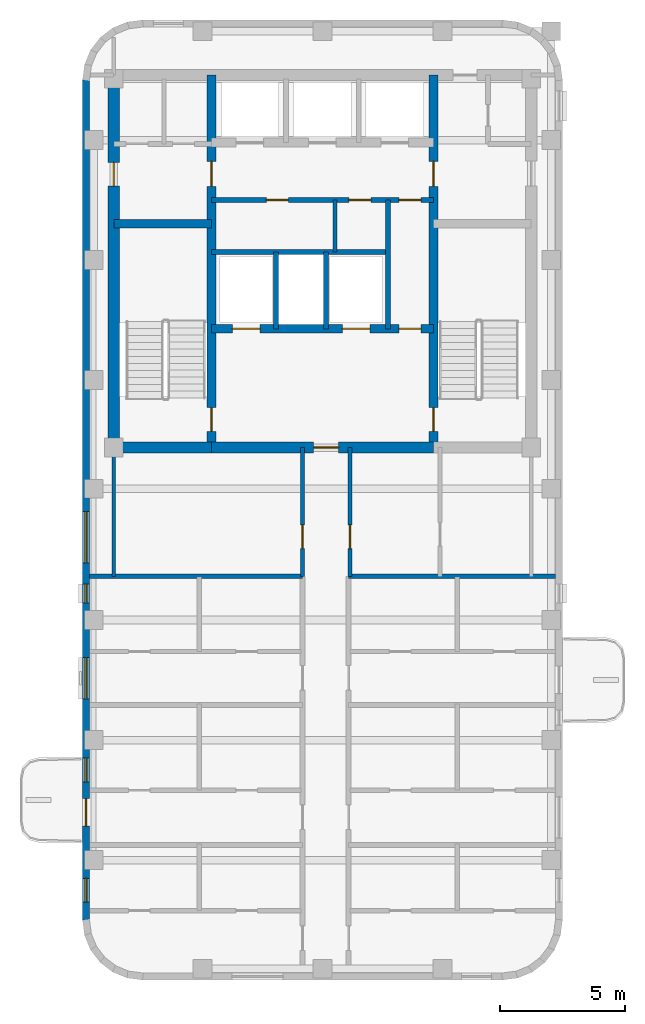
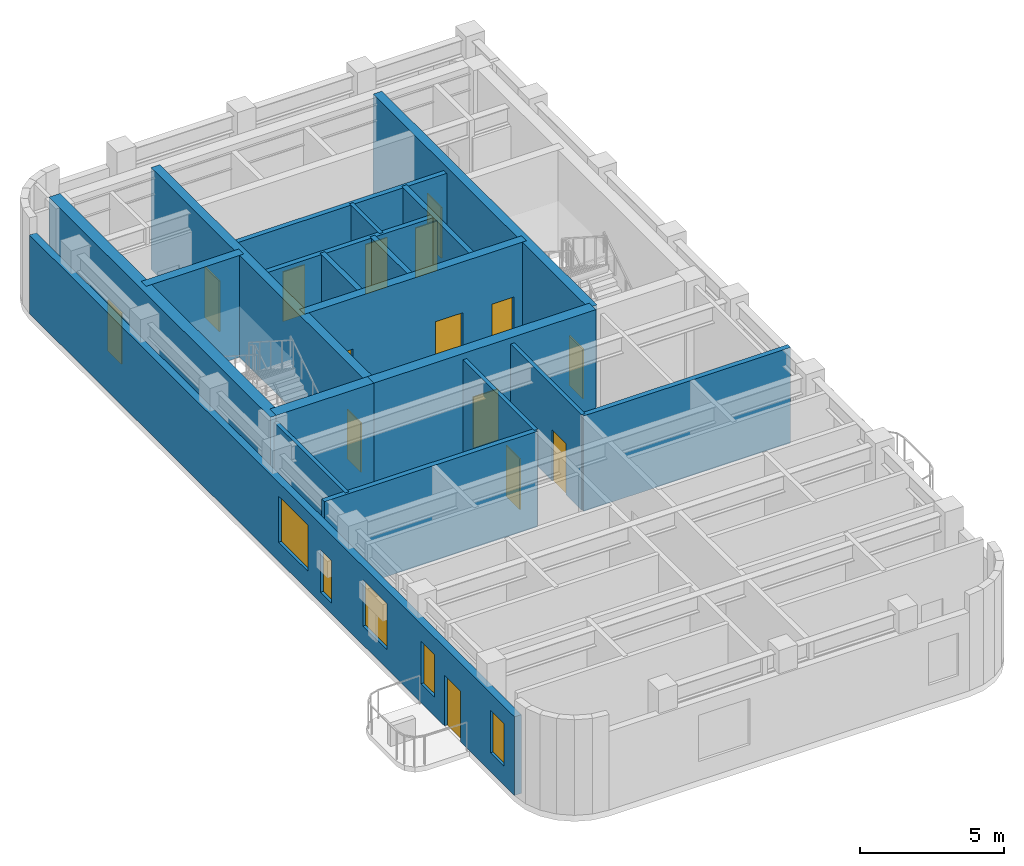
# One storey, part 3 of 6: 19 walls, 15 doors, 5 windows, 20 openings.
"""IFC4 building model written with IfcOpenShell, lengths in metres."""

from ifc_helpers import new_model, si_unit, direction, frame, frame_2d, origin, place, context, subcontext, project, spatial, rectangle, extrude, material, layer, layer_set, type_object, element, fill, save


model = new_model("IFC4")

# Units and contexts
model_context = context("Model", 3, precision=1e-05, world=origin(), true_north=direction((0.0, 1.0)))
body_context = subcontext(model_context, "Body", "Model", "MODEL_VIEW")
ifc_project = project(units=[si_unit("LENGTHUNIT", "METRE"), si_unit("AREAUNIT", "SQUARE_METRE"), si_unit("VOLUMEUNIT", "CUBIC_METRE"), si_unit("PLANEANGLEUNIT", "RADIAN"), si_unit("MASSUNIT", "GRAM", prefix="KILO")], contexts=[model_context])

# Site, building, storey
site_placement = place(None, origin())
site = spatial("IfcSite", under=ifc_project, at=site_placement, CompositionType="ELEMENT")
building_placement = place(site_placement, origin())
building = spatial("IfcBuilding", under=site, at=building_placement, Name="Orvandelia Arch Residences", CompositionType="ELEMENT")
storey_placement = place(building_placement, frame((0.0, 0.0, 248.39990234375)))
storey = spatial("IfcBuildingStorey", under=building, at=storey_placement, Name="L65", CompositionType="ELEMENT", Elevation=248.39990234375)

# Wall, openings, doors
ifc_material_1 = material(Name="Concrete C50/60", Category="concrete")
ifc_layer_1 = layer(ifc_material_1, 0.35009765625, Name="Concrete C50/60", Category="concrete")
ifc_layer_set_1 = layer_set([ifc_layer_1], Name="Concrete C50/60")
wall_type_1 = type_object("IfcWallType", Name="WL-CORE-350", PredefinedType="SHEAR", material=ifc_layer_set_1)
wall_1_placement = place(storey_placement, frame((9.9599609375, 30.89990234375, 0.0), z_axis=(0.0, 0.0, 1.0), x_axis=(0.0, 1.0, 0.0)))
wall_1 = element("IfcWall", 1, at=wall_1_placement, inside=storey, type_object=wall_type_1, Name="Core Shear Wall L65-WEB1", PredefinedType="SHEAR", context=body_context, shape_type="SweptSolid", body=[
    extrude(rectangle(XDim=14.900146484375, YDim=0.35009765625, at=frame_2d((7.4501953125, 0.0))), origin(), (0.0, 0.0, 1.0), 4.300048828125),
])
opening_1_placement = place(wall_1_placement, frame((0.64990234375, 0.0, 0.0)))
opening_1 = element("IfcOpeningElement", 2, at=opening_1_placement, cuts=wall_1, Name="Opening D7", PredefinedType="OPENING", context=body_context, shape_type="SweptSolid", body=[
    extrude(rectangle(XDim=0.949951171875, YDim=2.10009765625, at=frame_2d((0.47509765625, 1.050048828125))), frame((0.0, 0.18505859375, 0.0), z_axis=(0.0, -1.0, 0.0), x_axis=(1.0, 0.0, 0.0)), (0.0, 0.0, 1.0), 0.3701171875),
])
opening_2_placement = place(wall_1_placement, frame((10.449951171875, 0.0, 0.0)))
opening_2 = element("IfcOpeningElement", 3, at=opening_2_placement, cuts=wall_1, Name="Opening D6", PredefinedType="OPENING", context=body_context, shape_type="SweptSolid", body=[
    extrude(rectangle(XDim=1.0, YDim=2.14990234375, at=frame_2d((0.5, 1.074951171875))), frame((0.0, 0.18505859375, 0.0), z_axis=(0.0, -1.0, 0.0), x_axis=(1.0, 0.0, 0.0)), (0.0, 0.0, 1.0), 0.3701171875),
])
ifc_material_2 = material(Name="Smokeproof Painted Steel Fire Door", Category="steel")
door_type_1 = type_object("IfcDoorType", Name="DR-FD60-1000", OperationType="NOTDEFINED", PredefinedType="DOOR", material=ifc_material_2)
door_1_placement = place(opening_2_placement, origin())
door_1 = element("IfcDoor", 4, at=door_1_placement, inside=storey, type_object=door_type_1, Name="High-Rise Lift Hall West Vestibule Door L65", OperationType="SINGLE_SWING_LEFT", OverallHeight=2.14990234375, OverallWidth=1.0, PredefinedType="DOOR", context=body_context, shape_type="SweptSolid", body=[
    extrude(rectangle(XDim=1.0, YDim=2.14990234375, at=frame_2d((0.5, 1.074951171875))), frame((0.0, 0.02490234375, 0.0), z_axis=(0.0, -1.0, 0.0), x_axis=(1.0, 0.0, 0.0)), (0.0, 0.0, 1.0), 0.050048828125),
])
fill(opening_2, door_1)
ifc_material_3 = material(Name="Pressurised Stairwell Fire Door")
door_type_2 = type_object("IfcDoorType", Name="DR-STAIR-950", OperationType="NOTDEFINED", PredefinedType="DOOR", material=ifc_material_3)
door_2_placement = place(opening_1_placement, origin())
door_2 = element("IfcDoor", 5, at=door_2_placement, inside=storey, type_object=door_type_2, Name="Stairwell ST-1 Fire Door L65", OperationType="SINGLE_SWING_LEFT", OverallHeight=2.10009765625, OverallWidth=0.949951171875, PredefinedType="DOOR", context=body_context, shape_type="SweptSolid", body=[
    extrude(rectangle(XDim=0.949951171875, YDim=2.10009765625, at=frame_2d((0.47509765625, 1.050048828125))), frame((0.0, 0.02490234375, 0.0), z_axis=(0.0, -1.0, 0.0), x_axis=(1.0, 0.0, 0.0)), (0.0, 0.0, 1.0), 0.050048828125),
])
fill(opening_1, door_2)

wall_2_placement = place(storey_placement, frame((18.840087890625, 30.89990234375, 0.0), z_axis=(0.0, 0.0, 1.0), x_axis=(0.0, 1.0, 0.0)))
wall_2 = element("IfcWall", 6, at=wall_2_placement, inside=storey, type_object=wall_type_1, Name="Core Shear Wall L65-WEB2", PredefinedType="SHEAR", context=body_context, shape_type="SweptSolid", body=[
    extrude(rectangle(XDim=14.900146484375, YDim=0.35009765625, at=frame_2d((7.4501953125, 0.0))), origin(), (0.0, 0.0, 1.0), 4.300048828125),
])
opening_3_placement = place(wall_2_placement, frame((0.64990234375, 0.0, 0.0)))
opening_3 = element("IfcOpeningElement", 7, at=opening_3_placement, cuts=wall_2, Name="Opening D7", PredefinedType="OPENING", context=body_context, shape_type="SweptSolid", body=[
    extrude(rectangle(XDim=0.949951171875, YDim=2.10009765625, at=frame_2d((0.47509765625, 1.050048828125))), frame((0.0, 0.18505859375, 0.0), z_axis=(0.0, -1.0, 0.0), x_axis=(1.0, 0.0, 0.0)), (0.0, 0.0, 1.0), 0.3701171875),
])
opening_4_placement = place(wall_2_placement, frame((10.449951171875, 0.0, 0.0)))
opening_4 = element("IfcOpeningElement", 8, at=opening_4_placement, cuts=wall_2, Name="Opening D6", PredefinedType="OPENING", context=body_context, shape_type="SweptSolid", body=[
    extrude(rectangle(XDim=1.0, YDim=2.14990234375, at=frame_2d((0.5, 1.074951171875))), frame((0.0, 0.18505859375, 0.0), z_axis=(0.0, -1.0, 0.0), x_axis=(1.0, 0.0, 0.0)), (0.0, 0.0, 1.0), 0.3701171875),
])
door_3_placement = place(opening_4_placement, origin())
door_3 = element("IfcDoor", 9, at=door_3_placement, inside=storey, type_object=door_type_1, Name="High-Rise Lift Hall East Vestibule Door L65", OperationType="SINGLE_SWING_RIGHT", OverallHeight=2.14990234375, OverallWidth=1.0, PredefinedType="DOOR", context=body_context, shape_type="SweptSolid", body=[
    extrude(rectangle(XDim=1.0, YDim=2.14990234375, at=frame_2d((0.5, 1.074951171875))), frame((0.0, 0.02490234375, 0.0), z_axis=(0.0, -1.0, 0.0), x_axis=(1.0, 0.0, 0.0)), (0.0, 0.0, 1.0), 0.050048828125),
])
fill(opening_4, door_3)
door_4_placement = place(opening_3_placement, origin())
door_4 = element("IfcDoor", 10, at=door_4_placement, inside=storey, type_object=door_type_2, Name="Stairwell ST-2 Fire Door L65", OperationType="SINGLE_SWING_RIGHT", OverallHeight=2.10009765625, OverallWidth=0.949951171875, PredefinedType="DOOR", context=body_context, shape_type="SweptSolid", body=[
    extrude(rectangle(XDim=0.949951171875, YDim=2.10009765625, at=frame_2d((0.47509765625, 1.050048828125))), frame((0.0, 0.02490234375, 0.0), z_axis=(0.0, -1.0, 0.0), x_axis=(1.0, 0.0, 0.0)), (0.0, 0.0, 1.0), 0.050048828125),
])
fill(opening_3, door_4)

# Wall
wall_3_placement = place(storey_placement, frame((6.050048828125, 39.85009765625, 0.0), z_axis=(0.0, 0.0, 1.0), x_axis=(1.0, 0.0, 0.0)))
element("IfcWall", 11, at=wall_3_placement, inside=storey, type_object=wall_type_1, Name="Core Shear Wall L65-HZ1", PredefinedType="SHEAR", context=body_context, shape_type="SweptSolid", body=[
    extrude(rectangle(XDim=3.909912109375, YDim=0.35009765625, at=frame_2d((1.955078125, 0.0))), origin(), (0.0, 0.0, 1.0), 4.300048828125),
])

# Wall, openings, doors
wall_4_placement = place(storey_placement, frame((9.9599609375, 35.64990234375, 0.0), z_axis=(0.0, 0.0, 1.0), x_axis=(1.0, 0.0, 0.0)))
wall_4 = element("IfcWall", 12, at=wall_4_placement, inside=storey, type_object=wall_type_1, Name="Core Shear Wall L65-HZ3", PredefinedType="SHEAR", context=body_context, shape_type="SweptSolid", body=[
    extrude(rectangle(XDim=8.880126953125, YDim=0.35009765625, at=frame_2d((4.43994140625, 0.0))), origin(), (0.0, 0.0, 1.0), 4.300048828125),
])
opening_5_placement = place(wall_4_placement, frame((0.840087890625, 0.0, 0.0)))
opening_5 = element("IfcOpeningElement", 13, at=opening_5_placement, cuts=wall_4, Name="Opening FLD", PredefinedType="OPENING", context=body_context, shape_type="SweptSolid", body=[
    extrude(rectangle(XDim=1.10009765625, YDim=2.14990234375, at=frame_2d((0.550048828125, 1.074951171875))), frame((0.0, 0.18505859375, 0.0), z_axis=(0.0, -1.0, 0.0), x_axis=(1.0, 0.0, 0.0)), (0.0, 0.0, 1.0), 0.3701171875),
])
opening_6_placement = place(wall_4_placement, frame((5.239990234375, 0.0, 0.0)))
opening_6 = element("IfcOpeningElement", 14, at=opening_6_placement, cuts=wall_4, Name="Opening FLD", PredefinedType="OPENING", context=body_context, shape_type="SweptSolid", body=[
    extrude(rectangle(XDim=1.10009765625, YDim=2.14990234375, at=frame_2d((0.550048828125, 1.074951171875))), frame((0.0, 0.18505859375, 0.0), z_axis=(0.0, -1.0, 0.0), x_axis=(1.0, 0.0, 0.0)), (0.0, 0.0, 1.0), 0.3701171875),
])
opening_7_placement = place(wall_4_placement, frame((7.5, 0.0, 0.0)))
opening_7 = element("IfcOpeningElement", 15, at=opening_7_placement, cuts=wall_4, Name="Opening D5", PredefinedType="OPENING", context=body_context, shape_type="SweptSolid", body=[
    extrude(rectangle(XDim=0.8798828125, YDim=2.10009765625, at=frame_2d((0.43994140625, 1.050048828125))), frame((0.0, 0.18505859375, 0.0), z_axis=(0.0, -1.0, 0.0), x_axis=(1.0, 0.0, 0.0)), (0.0, 0.0, 1.0), 0.3701171875),
])
ifc_material_4 = material(Name="Firefighting Lift Stainless Sliding Door")
door_type_3 = type_object("IfcDoorType", Name="DR-FLFT-1100", OperationType="NOTDEFINED", PredefinedType="DOOR", material=ifc_material_4)
door_5_placement = place(opening_5_placement, origin())
door_5 = element("IfcDoor", 16, at=door_5_placement, inside=storey, type_object=door_type_3, Name="Firefighting Lift Landing Door FLD-FL1-L65", OperationType="SLIDING_TO_LEFT", OverallHeight=2.14990234375, OverallWidth=1.10009765625, PredefinedType="DOOR", context=body_context, shape_type="SweptSolid", body=[
    extrude(rectangle(XDim=1.10009765625, YDim=2.14990234375, at=frame_2d((0.550048828125, 1.074951171875))), frame((0.0, 0.02490234375, 0.0), z_axis=(0.0, -1.0, 0.0), x_axis=(1.0, 0.0, 0.0)), (0.0, 0.0, 1.0), 0.050048828125),
])
fill(opening_5, door_5)
door_6_placement = place(opening_6_placement, origin())
door_6 = element("IfcDoor", 17, at=door_6_placement, inside=storey, type_object=door_type_3, Name="Firefighting Lift Landing Door FLD-FL2-L65", OperationType="SLIDING_TO_RIGHT", OverallHeight=2.14990234375, OverallWidth=1.10009765625, PredefinedType="DOOR", context=body_context, shape_type="SweptSolid", body=[
    extrude(rectangle(XDim=1.10009765625, YDim=2.14990234375, at=frame_2d((0.550048828125, 1.074951171875))), frame((0.0, 0.02490234375, 0.0), z_axis=(0.0, -1.0, 0.0), x_axis=(1.0, 0.0, 0.0)), (0.0, 0.0, 1.0), 0.050048828125),
])
fill(opening_6, door_6)
ifc_material_5 = material(Name="Painted Galvanised Steel Service Door", Category="steel")
door_type_4 = type_object("IfcDoorType", Name="DR-SRV-880", OperationType="NOTDEFINED", PredefinedType="DOOR", material=ifc_material_5)
door_7_placement = place(opening_7_placement, origin())
door_7 = element("IfcDoor", 18, at=door_7_placement, inside=storey, type_object=door_type_4, Name="Core Stairway Passage South Fire Door L65", OperationType="SINGLE_SWING_LEFT", OverallHeight=2.10009765625, OverallWidth=0.8798828125, PredefinedType="DOOR", context=body_context, shape_type="SweptSolid", body=[
    extrude(rectangle(XDim=0.8798828125, YDim=2.10009765625, at=frame_2d((0.43994140625, 1.050048828125))), frame((0.0, 0.02490234375, 0.0), z_axis=(0.0, -1.0, 0.0), x_axis=(1.0, 0.0, 0.0)), (0.0, 0.0, 1.0), 0.050048828125),
])
fill(opening_7, door_7)

# Wall, opening, door
ifc_layer_2 = layer(ifc_material_1, 0.449951171875, Name="Concrete C50/60", Category="concrete")
ifc_layer_set_2 = layer_set([ifc_layer_2], Name="Concrete C50/60")
wall_type_2 = type_object("IfcWallType", Name="WL-CORE-450", PredefinedType="SHEAR", material=ifc_layer_set_2)
wall_5_placement = place(storey_placement, frame((6.050048828125, 30.675048828125, 0.0), z_axis=(0.0, 0.0, 1.0), x_axis=(0.0, 1.0, 0.0)))
wall_5 = element("IfcWall", 19, at=wall_5_placement, inside=storey, type_object=wall_type_2, Name="Core Shear Wall L65-W", PredefinedType="SHEAR", context=body_context, shape_type="SweptSolid", body=[
    extrude(rectangle(XDim=15.349853515625, YDim=0.449951171875, at=frame_2d((7.6748046875, 0.0))), origin(), (0.0, 0.0, 1.0), 4.300048828125),
])
opening_8_placement = place(wall_5_placement, frame((10.675048828125, 0.0, 0.0)))
opening_8 = element("IfcOpeningElement", 20, at=opening_8_placement, cuts=wall_5, Name="Opening D2", PredefinedType="OPENING", context=body_context, shape_type="SweptSolid", body=[
    extrude(rectangle(XDim=0.949951171875, YDim=2.14990234375, at=frame_2d((0.47509765625, 1.074951171875))), frame((0.0, 0.23486328125, 0.0), z_axis=(0.0, -1.0, 0.0), x_axis=(1.0, 0.0, 0.0)), (0.0, 0.0, 1.0), 0.469970703125),
])
ifc_material_6 = material(Name="Solid-Core Timber Interior Fire Door", Category="wood")
door_type_5 = type_object("IfcDoorType", Name="DR-APT-950", OperationType="NOTDEFINED", PredefinedType="DOOR", material=ifc_material_6)
door_8_placement = place(opening_8_placement, origin())
door_8 = element("IfcDoor", 21, at=door_8_placement, inside=storey, type_object=door_type_5, Name="West Viewing Study Door L65", OperationType="SINGLE_SWING_RIGHT", OverallHeight=2.14990234375, OverallWidth=0.949951171875, PredefinedType="DOOR", context=body_context, shape_type="SweptSolid", body=[
    extrude(rectangle(XDim=0.949951171875, YDim=2.14990234375, at=frame_2d((0.47509765625, 1.074951171875))), frame((0.0, 0.02490234375, 0.0), z_axis=(0.0, -1.0, 0.0), x_axis=(1.0, 0.0, 0.0)), (0.0, 0.0, 1.0), 0.050048828125),
])
fill(opening_8, door_8)

# Wall
wall_6_placement = place(storey_placement, frame((6.050048828125, 30.89990234375, 0.0), z_axis=(0.0, 0.0, 1.0), x_axis=(1.0, 0.0, 0.0)))
element("IfcWall", 22, at=wall_6_placement, inside=storey, type_object=wall_type_2, Name="Core Shear Wall L65-SW", PredefinedType="SHEAR", context=body_context, shape_type="SweptSolid", body=[
    extrude(rectangle(XDim=3.909912109375, YDim=0.449951171875, at=frame_2d((1.955078125, 0.0))), origin(), (0.0, 0.0, 1.0), 4.300048828125),
])

# Wall, opening, door
wall_7_placement = place(storey_placement, frame((9.9599609375, 30.89990234375, 0.0), z_axis=(0.0, 0.0, 1.0), x_axis=(1.0, 0.0, 0.0)))
wall_7 = element("IfcWall", 23, at=wall_7_placement, inside=storey, type_object=wall_type_2, Name="Core Shear Wall L65-SM", PredefinedType="SHEAR", context=body_context, shape_type="SweptSolid", body=[
    extrude(rectangle(XDim=8.880126953125, YDim=0.449951171875, at=frame_2d((4.43994140625, 0.0))), origin(), (0.0, 0.0, 1.0), 4.300048828125),
])
opening_9_placement = place(wall_7_placement, frame((4.090087890625, 0.0, 0.0)))
opening_9 = element("IfcOpeningElement", 24, at=opening_9_placement, cuts=wall_7, Name="Opening D6", PredefinedType="OPENING", context=body_context, shape_type="SweptSolid", body=[
    extrude(rectangle(XDim=1.0, YDim=2.14990234375, at=frame_2d((0.5, 1.074951171875))), frame((0.0, 0.23486328125, 0.0), z_axis=(0.0, -1.0, 0.0), x_axis=(1.0, 0.0, 0.0)), (0.0, 0.0, 1.0), 0.469970703125),
])
door_9_placement = place(opening_9_placement, origin())
door_9 = element("IfcDoor", 25, at=door_9_placement, inside=storey, type_object=door_type_1, Name="Firefighting Lobby Smokeproof Door L65", OperationType="SINGLE_SWING_LEFT", OverallHeight=2.14990234375, OverallWidth=1.0, PredefinedType="DOOR", context=body_context, shape_type="SweptSolid", body=[
    extrude(rectangle(XDim=1.0, YDim=2.14990234375, at=frame_2d((0.5, 1.074951171875))), frame((0.0, 0.02490234375, 0.0), z_axis=(0.0, -1.0, 0.0), x_axis=(1.0, 0.0, 0.0)), (0.0, 0.0, 1.0), 0.050048828125),
])
fill(opening_9, door_9)

# Walls
ifc_material_7 = material(Name="Fire-Rated Corridor Partition")
ifc_layer_3 = layer(ifc_material_7, 0.199951171875, Name="Fire-Rated Corridor Partition")
ifc_layer_set_3 = layer_set([ifc_layer_3], Name="Fire-Rated Corridor Partition")
wall_type_3 = type_object("IfcWallType", Name="WL-CORR-200", PredefinedType="PARTITIONING", material=ifc_layer_set_3)
wall_8_placement = place(storey_placement, frame((5.080078125, 25.75, 0.0), z_axis=(0.0, 0.0, 1.0), x_axis=(1.0, 0.0, 0.0)))
element("IfcWall", 26, at=wall_8_placement, inside=storey, type_object=wall_type_3, Name="Interior Partition Wall WL-L65-WCLS-W", PredefinedType="PARTITIONING", context=body_context, shape_type="SweptSolid", body=[
    extrude(rectangle(XDim=8.52001953125, YDim=0.199951171875, at=frame_2d((4.260009765625, 0.0))), origin(), (0.0, 0.0, 1.0), 4.0400390625),
])
wall_9_placement = place(storey_placement, frame((15.449951171875, 25.75, 0.0), z_axis=(0.0, 0.0, 1.0), x_axis=(1.0, 0.0, 0.0)))
element("IfcWall", 27, at=wall_9_placement, inside=storey, type_object=wall_type_3, Name="Interior Partition Wall WL-L65-WCLS-E", PredefinedType="PARTITIONING", context=body_context, shape_type="SweptSolid", body=[
    extrude(rectangle(XDim=8.27001953125, YDim=0.199951171875, at=frame_2d((4.135009765625, 0.0))), origin(), (0.0, 0.0, 1.0), 4.0400390625),
])

# Wall, openings, door, windows
ifc_material_8 = material(Name="Precast concrete C40/50", Category="concrete")
ifc_layer_4 = layer(ifc_material_8, 0.280029296875, Name="Precast concrete C40/50", Category="concrete")
ifc_layer_set_4 = layer_set([ifc_layer_4], Name="Precast concrete C40/50")
wall_type_4 = type_object("IfcWallType", Name="WL-EXT-STONE-280", PredefinedType="STANDARD", material=ifc_layer_set_4)
wall_10_placement = place(storey_placement, frame((4.93994140625, 12.0, 0.0), z_axis=(0.0, 0.0, 1.0), x_axis=(0.0, 1.0, 0.0)))
wall_10 = element("IfcWall", 28, at=wall_10_placement, inside=storey, type_object=wall_type_4, Name="Coral-Limestone Precast Facade Wall L65-028", PredefinedType="STANDARD", context=body_context, shape_type="SweptSolid", body=[
    extrude(rectangle(XDim=33.60009765625, YDim=0.280029296875, at=frame_2d((16.800048828125, 0.0))), origin(), (0.0, 0.0, 1.0), 3.320068359375),
])
opening_10_placement = place(wall_10_placement, frame((3.75, 0.0, 0.0)))
opening_10 = element("IfcOpeningElement", 29, at=opening_10_placement, cuts=wall_10, Name="Opening BD1", PredefinedType="OPENING", context=body_context, shape_type="SweptSolid", body=[
    extrude(rectangle(XDim=1.10009765625, YDim=2.14990234375, at=frame_2d((0.550048828125, 1.074951171875))), frame((0.0, 0.14990234375, 0.0), z_axis=(0.0, -1.0, 0.0), x_axis=(1.0, 0.0, 0.0)), (0.0, 0.0, 1.0), 0.300048828125),
])
opening_11_placement = place(wall_10_placement, frame((8.844970703125, 0.0, 0.800048828125)))
opening_11 = element("IfcOpeningElement", 30, at=opening_11_placement, cuts=wall_10, Name="Opening W9", PredefinedType="OPENING", context=body_context, shape_type="SweptSolid", body=[
    extrude(rectangle(XDim=1.64990234375, YDim=1.949951171875, at=frame_2d((0.824951171875, 0.97509765625))), frame((0.0, 0.14990234375, 0.0), z_axis=(0.0, -1.0, 0.0), x_axis=(1.0, 0.0, 0.0)), (0.0, 0.0, 1.0), 0.300048828125),
])
opening_12_placement = place(wall_10_placement, frame((0.715576171875, 0.0, 0.800048828125)))
opening_12 = element("IfcOpeningElement", 31, at=opening_12_placement, cuts=wall_10, Name="Opening W4", PredefinedType="OPENING", context=body_context, shape_type="SweptSolid", body=[
    extrude(rectangle(XDim=0.949951171875, YDim=1.800048828125, at=frame_2d((0.47509765625, 0.89990234375))), frame((0.0, 0.14990234375, 0.0), z_axis=(0.0, -1.0, 0.0), x_axis=(1.0, 0.0, 0.0)), (0.0, 0.0, 1.0), 0.300048828125),
])
opening_13_placement = place(wall_10_placement, frame((5.5234375, 0.0, 0.800048828125)))
opening_13 = element("IfcOpeningElement", 32, at=opening_13_placement, cuts=wall_10, Name="Opening W4", PredefinedType="OPENING", context=body_context, shape_type="SweptSolid", body=[
    extrude(rectangle(XDim=0.949951171875, YDim=1.800048828125, at=frame_2d((0.47509765625, 0.89990234375))), frame((0.0, 0.14990234375, 0.0), z_axis=(0.0, -1.0, 0.0), x_axis=(1.0, 0.0, 0.0)), (0.0, 0.0, 1.0), 0.300048828125),
])
opening_14_placement = place(wall_10_placement, frame((12.6826171875, 0.0, 0.449951171875)))
opening_14 = element("IfcOpeningElement", 33, at=opening_14_placement, cuts=wall_10, Name="Opening W11", PredefinedType="OPENING", context=body_context, shape_type="SweptSolid", body=[
    extrude(rectangle(XDim=0.75, YDim=1.800048828125, at=frame_2d((0.375, 0.89990234375))), frame((0.0, 0.14990234375, 0.0), z_axis=(0.0, -1.0, 0.0), x_axis=(1.0, 0.0, 0.0)), (0.0, 0.0, 1.0), 0.300048828125),
])
opening_15_placement = place(wall_10_placement, frame((14.282470703125, 0.0, 0.800048828125)))
opening_15 = element("IfcOpeningElement", 34, at=opening_15_placement, cuts=wall_10, Name="Opening W8", PredefinedType="OPENING", context=body_context, shape_type="SweptSolid", body=[
    extrude(rectangle(XDim=2.050048828125, YDim=1.949951171875, at=frame_2d((1.02490234375, 0.97509765625))), frame((0.0, 0.14990234375, 0.0), z_axis=(0.0, -1.0, 0.0), x_axis=(1.0, 0.0, 0.0)), (0.0, 0.0, 1.0), 0.300048828125),
])
ifc_material_9 = material(Name="Thermally Broken Aluminium Glazed Door", Category="aluminium")
door_type_6 = type_object("IfcDoorType", Name="DR-BAL-GLAZ-1100", OperationType="NOTDEFINED", PredefinedType="DOOR", material=ifc_material_9)
door_10_placement = place(opening_10_placement, origin())
door_10 = element("IfcDoor", 35, at=door_10_placement, inside=storey, type_object=door_type_6, Name="Tree Balcony Glazed Door BAL-L65-W1", OperationType="SINGLE_SWING_RIGHT", OverallHeight=2.14990234375, OverallWidth=1.10009765625, PredefinedType="DOOR", context=body_context, shape_type="SweptSolid", body=[
    extrude(rectangle(XDim=1.10009765625, YDim=2.14990234375, at=frame_2d((0.550048828125, 1.074951171875))), frame((0.0, 0.02490234375, 0.0), z_axis=(0.0, -1.0, 0.0), x_axis=(1.0, 0.0, 0.0)), (0.0, 0.0, 1.0), 0.050048828125),
])
fill(opening_10, door_10)
ifc_material_10 = material(Name="Tempered Low-E Insulated Glazing", Category="glass")
window_type_1 = type_object("IfcWindowType", Name="WIN-BED-0750x1800", PartitioningType="SINGLE_PANEL", PredefinedType="WINDOW", material=ifc_material_10)
window_1_placement = place(opening_14_placement, origin())
window_1 = element("IfcWindow", 36, at=window_1_placement, inside=storey, type_object=window_type_1, Name="Recessed Punched Window L65-012", OverallHeight=1.800048828125, OverallWidth=0.75, PartitioningType="SINGLE_PANEL", PredefinedType="WINDOW", context=body_context, shape_type="SweptSolid", body=[
    extrude(rectangle(XDim=0.75, YDim=1.800048828125, at=frame_2d((0.375, 0.89990234375))), frame((0.0, 0.030029296875, 0.0), z_axis=(0.0, -1.0, 0.0), x_axis=(1.0, 0.0, 0.0)), (0.0, 0.0, 1.0), 0.06005859375),
])
fill(opening_14, window_1)
window_type_2 = type_object("IfcWindowType", Name="WIN-RES-0950x1800", PartitioningType="SINGLE_PANEL", PredefinedType="WINDOW", material=ifc_material_10)
window_2_placement = place(opening_12_placement, origin())
window_2 = element("IfcWindow", 37, at=window_2_placement, inside=storey, type_object=window_type_2, Name="Recessed Punched Window L65-010", OverallHeight=1.800048828125, OverallWidth=0.949951171875, PartitioningType="SINGLE_PANEL", PredefinedType="WINDOW", context=body_context, shape_type="SweptSolid", body=[
    extrude(rectangle(XDim=0.949951171875, YDim=1.800048828125, at=frame_2d((0.47509765625, 0.89990234375))), frame((0.0, 0.030029296875, 0.0), z_axis=(0.0, -1.0, 0.0), x_axis=(1.0, 0.0, 0.0)), (0.0, 0.0, 1.0), 0.06005859375),
])
fill(opening_12, window_2)
window_3_placement = place(opening_13_placement, origin())
window_3 = element("IfcWindow", 38, at=window_3_placement, inside=storey, type_object=window_type_2, Name="Recessed Punched Window L65-011", OverallHeight=1.800048828125, OverallWidth=0.949951171875, PartitioningType="SINGLE_PANEL", PredefinedType="WINDOW", context=body_context, shape_type="SweptSolid", body=[
    extrude(rectangle(XDim=0.949951171875, YDim=1.800048828125, at=frame_2d((0.47509765625, 0.89990234375))), frame((0.0, 0.030029296875, 0.0), z_axis=(0.0, -1.0, 0.0), x_axis=(1.0, 0.0, 0.0)), (0.0, 0.0, 1.0), 0.06005859375),
])
fill(opening_13, window_3)
window_type_3 = type_object("IfcWindowType", Name="WIN-UPP-1650x1950", PartitioningType="SINGLE_PANEL", PredefinedType="WINDOW", material=ifc_material_10)
window_4_placement = place(opening_11_placement, origin())
window_4 = element("IfcWindow", 39, at=window_4_placement, inside=storey, type_object=window_type_3, Name="Recessed Punched Window L65-009", OverallHeight=1.949951171875, OverallWidth=1.64990234375, PartitioningType="SINGLE_PANEL", PredefinedType="WINDOW", context=body_context, shape_type="SweptSolid", body=[
    extrude(rectangle(XDim=1.64990234375, YDim=1.949951171875, at=frame_2d((0.824951171875, 0.97509765625))), frame((0.0, 0.030029296875, 0.0), z_axis=(0.0, -1.0, 0.0), x_axis=(1.0, 0.0, 0.0)), (0.0, 0.0, 1.0), 0.06005859375),
])
fill(opening_11, window_4)
window_type_4 = type_object("IfcWindowType", Name="WIN-UPP-2050x1950", PartitioningType="SINGLE_PANEL", PredefinedType="WINDOW", material=ifc_material_10)
window_5_placement = place(opening_15_placement, origin())
window_5 = element("IfcWindow", 40, at=window_5_placement, inside=storey, type_object=window_type_4, Name="Recessed Punched Window L65-013", OverallHeight=1.949951171875, OverallWidth=2.050048828125, PartitioningType="SINGLE_PANEL", PredefinedType="WINDOW", context=body_context, shape_type="SweptSolid", body=[
    extrude(rectangle(XDim=2.050048828125, YDim=1.949951171875, at=frame_2d((1.02490234375, 0.97509765625))), frame((0.0, 0.030029296875, 0.0), z_axis=(0.0, -1.0, 0.0), x_axis=(1.0, 0.0, 0.0)), (0.0, 0.0, 1.0), 0.06005859375),
])
fill(opening_15, window_5)

# Wall
ifc_material_11 = material(Name="Acoustic Gypsum Stud Partition")
ifc_layer_5 = layer(ifc_material_11, 0.14990234375, Name="Acoustic Gypsum Stud Partition")
ifc_layer_set_5 = layer_set([ifc_layer_5], Name="Acoustic Gypsum Stud Partition")
wall_type_5 = type_object("IfcWallType", Name="WL-PART-150", PredefinedType="PARTITIONING", material=ifc_layer_set_5)
wall_11_placement = place(storey_placement, frame((14.89990234375, 38.719970703125, 0.0), z_axis=(0.0, 0.0, 1.0), x_axis=(0.0, 1.0, 0.0)))
element("IfcWall", 41, at=wall_11_placement, inside=storey, type_object=wall_type_5, Name="Interior Partition Wall WL-L65-CSA-1", PredefinedType="PARTITIONING", context=body_context, shape_type="SweptSolid", body=[
    extrude(rectangle(XDim=2.080078125, YDim=0.14990234375, at=frame_2d((1.0400390625, 0.0))), origin(), (0.0, 0.0, 1.0), 4.0400390625),
])

# Wall, opening, door
wall_12_placement = place(storey_placement, frame((13.60009765625, 25.75, 0.0), z_axis=(0.0, 0.0, 1.0), x_axis=(0.0, 1.0, 0.0)))
wall_12 = element("IfcWall", 42, at=wall_12_placement, inside=storey, type_object=wall_type_5, Name="Interior Partition Wall WL-L65-HI-W1", PredefinedType="PARTITIONING", context=body_context, shape_type="SweptSolid", body=[
    extrude(rectangle(XDim=5.14990234375, YDim=0.14990234375, at=frame_2d((2.574951171875, 0.0))), origin(), (0.0, 0.0, 1.0), 4.0400390625),
])
opening_16_placement = place(wall_12_placement, frame((1.10009765625, 0.0, 0.0)))
opening_16 = element("IfcOpeningElement", 43, at=opening_16_placement, cuts=wall_12, Name="Opening D2", PredefinedType="OPENING", context=body_context, shape_type="SweptSolid", body=[
    extrude(rectangle(XDim=0.949951171875, YDim=2.14990234375, at=frame_2d((0.47509765625, 1.074951171875))), frame((0.0, 0.0849609375, 0.0), z_axis=(0.0, -1.0, 0.0), x_axis=(1.0, 0.0, 0.0)), (0.0, 0.0, 1.0), 0.169921875),
])
door_11_placement = place(opening_16_placement, origin())
door_11 = element("IfcDoor", 44, at=door_11_placement, inside=storey, type_object=door_type_5, Name="DR-L65-HIR1", OperationType="SINGLE_SWING_LEFT", OverallHeight=2.14990234375, OverallWidth=0.949951171875, PredefinedType="DOOR", context=body_context, shape_type="SweptSolid", body=[
    extrude(rectangle(XDim=0.949951171875, YDim=2.14990234375, at=frame_2d((0.47509765625, 1.074951171875))), frame((0.0, 0.02490234375, 0.0), z_axis=(0.0, -1.0, 0.0), x_axis=(1.0, 0.0, 0.0)), (0.0, 0.0, 1.0), 0.050048828125),
])
fill(opening_16, door_11)

wall_13_placement = place(storey_placement, frame((15.5, 25.75, 0.0), z_axis=(0.0, 0.0, 1.0), x_axis=(0.0, 1.0, 0.0)))
wall_13 = element("IfcWall", 45, at=wall_13_placement, inside=storey, type_object=wall_type_5, Name="Interior Partition Wall WL-L65-HI-W2", PredefinedType="PARTITIONING", context=body_context, shape_type="SweptSolid", body=[
    extrude(rectangle(XDim=5.14990234375, YDim=0.14990234375, at=frame_2d((2.574951171875, 0.0))), origin(), (0.0, 0.0, 1.0), 4.0400390625),
])
opening_17_placement = place(wall_13_placement, frame((1.10009765625, 0.0, 0.0)))
opening_17 = element("IfcOpeningElement", 46, at=opening_17_placement, cuts=wall_13, Name="Opening D2", PredefinedType="OPENING", context=body_context, shape_type="SweptSolid", body=[
    extrude(rectangle(XDim=0.949951171875, YDim=2.14990234375, at=frame_2d((0.47509765625, 1.074951171875))), frame((0.0, 0.0849609375, 0.0), z_axis=(0.0, -1.0, 0.0), x_axis=(1.0, 0.0, 0.0)), (0.0, 0.0, 1.0), 0.169921875),
])
door_12_placement = place(opening_17_placement, origin())
door_12 = element("IfcDoor", 47, at=door_12_placement, inside=storey, type_object=door_type_5, Name="DR-L65-HIR2A", OperationType="SINGLE_SWING_RIGHT", OverallHeight=2.14990234375, OverallWidth=0.949951171875, PredefinedType="DOOR", context=body_context, shape_type="SweptSolid", body=[
    extrude(rectangle(XDim=0.949951171875, YDim=2.14990234375, at=frame_2d((0.47509765625, 1.074951171875))), frame((0.0, 0.02490234375, 0.0), z_axis=(0.0, -1.0, 0.0), x_axis=(1.0, 0.0, 0.0)), (0.0, 0.0, 1.0), 0.050048828125),
])
fill(opening_17, door_12)

# Walls
wall_14_placement = place(storey_placement, frame((6.050048828125, 25.75, 0.0), z_axis=(0.0, 0.0, 1.0), x_axis=(0.0, 1.0, 0.0)))
element("IfcWall", 48, at=wall_14_placement, inside=storey, type_object=wall_type_5, Name="Interior Partition Wall WL-L65-HI-WW", PredefinedType="PARTITIONING", context=body_context, shape_type="SweptSolid", body=[
    extrude(rectangle(XDim=5.14990234375, YDim=0.14990234375, at=frame_2d((2.574951171875, 0.0))), origin(), (0.0, 0.0, 1.0), 4.0400390625),
])
ifc_material_12 = material(Name="Fire-Rated Shaft Enclosure Wall")
ifc_layer_6 = layer(ifc_material_12, 0.199951171875, Name="Fire-Rated Shaft Enclosure Wall")
ifc_layer_set_6 = layer_set([ifc_layer_6], Name="Fire-Rated Shaft Enclosure Wall")
wall_type_6 = type_object("IfcWallType", Name="WL-SHAFT-200", PredefinedType="POLYGONAL", material=ifc_layer_set_6)
wall_15_placement = place(storey_placement, frame((9.9599609375, 38.719970703125, 0.0), z_axis=(0.0, 0.0, 1.0), x_axis=(1.0, 0.0, 0.0)))
element("IfcWall", 49, at=wall_15_placement, inside=storey, type_object=wall_type_6, Name="Interior Partition Wall WL-L65-FLN", PredefinedType="POLYGONAL", context=body_context, shape_type="SweptSolid", body=[
    extrude(rectangle(XDim=7.06005859375, YDim=0.199951171875, at=frame_2d((3.530029296875, 0.0))), origin(), (0.0, 0.0, 1.0), 4.0400390625),
])
for number, where, z_axis, x_axis, name in (
    (50, (12.550048828125, 35.64990234375, 0.0), (0.0, 0.0, 1.0), (0.0, 1.0, 0.0), "Interior Partition Wall WL-L65-FLM1"),
    (51, (14.550048828125, 35.64990234375, 0.0), (0.0, 0.0, 1.0), (0.0, 1.0, 0.0), "Interior Partition Wall WL-L65-FLM2"),
):
    element("IfcWall", number, at=place(storey_placement, frame(where, z_axis=z_axis, x_axis=x_axis)), inside=storey, type_object=wall_type_6, Name=name, PredefinedType="POLYGONAL", context=body_context, shape_type="SweptSolid", body=[
        extrude(rectangle(XDim=3.070068359375, YDim=0.199951171875, at=frame_2d((1.53515625, 0.0))), origin(), (0.0, 0.0, 1.0), 4.0400390625),
    ])
wall_16_placement = place(storey_placement, frame((17.02001953125, 35.64990234375, 0.0), z_axis=(0.0, 0.0, 1.0), x_axis=(0.0, 1.0, 0.0)))
element("IfcWall", 52, at=wall_16_placement, inside=storey, type_object=wall_type_6, Name="Interior Partition Wall WL-L65-FLM3", PredefinedType="POLYGONAL", context=body_context, shape_type="SweptSolid", body=[
    extrude(rectangle(XDim=5.150146484375, YDim=0.199951171875, at=frame_2d((2.5751953125, 0.0))), origin(), (0.0, 0.0, 1.0), 4.0400390625),
])

# Wall, openings, doors
wall_17_placement = place(storey_placement, frame((9.9599609375, 40.800048828125, 0.0), z_axis=(0.0, 0.0, 1.0), x_axis=(1.0, 0.0, 0.0)))
wall_17 = element("IfcWall", 53, at=wall_17_placement, inside=storey, type_object=wall_type_6, Name="Interior Partition Wall WL-L65-HLH-S", PredefinedType="POLYGONAL", context=body_context, shape_type="SweptSolid", body=[
    extrude(rectangle(XDim=8.880126953125, YDim=0.199951171875, at=frame_2d((4.43994140625, 0.0))), origin(), (0.0, 0.0, 1.0), 4.0400390625),
])
opening_18_placement = place(wall_17_placement, frame((7.5, 0.0, 0.0)))
opening_18 = element("IfcOpeningElement", 54, at=opening_18_placement, cuts=wall_17, Name="Opening D5", PredefinedType="OPENING", context=body_context, shape_type="SweptSolid", body=[
    extrude(rectangle(XDim=0.8798828125, YDim=2.10009765625, at=frame_2d((0.43994140625, 1.050048828125))), frame((0.0, 0.10986328125, 0.0), z_axis=(0.0, -1.0, 0.0), x_axis=(1.0, 0.0, 0.0)), (0.0, 0.0, 1.0), 0.219970703125),
])
opening_19_placement = place(wall_17_placement, frame((2.199951171875, 0.0, 0.0)))
opening_19 = element("IfcOpeningElement", 55, at=opening_19_placement, cuts=wall_17, Name="Opening D5", PredefinedType="OPENING", context=body_context, shape_type="SweptSolid", body=[
    extrude(rectangle(XDim=0.8798828125, YDim=2.10009765625, at=frame_2d((0.43994140625, 1.050048828125))), frame((0.0, 0.10986328125, 0.0), z_axis=(0.0, -1.0, 0.0), x_axis=(1.0, 0.0, 0.0)), (0.0, 0.0, 1.0), 0.219970703125),
])
opening_20_placement = place(wall_17_placement, frame((5.5, 0.0, 0.0)))
opening_20 = element("IfcOpeningElement", 56, at=opening_20_placement, cuts=wall_17, Name="Opening D5", PredefinedType="OPENING", context=body_context, shape_type="SweptSolid", body=[
    extrude(rectangle(XDim=0.8798828125, YDim=2.10009765625, at=frame_2d((0.43994140625, 1.050048828125))), frame((0.0, 0.10986328125, 0.0), z_axis=(0.0, -1.0, 0.0), x_axis=(1.0, 0.0, 0.0)), (0.0, 0.0, 1.0), 0.219970703125),
])
door_13_placement = place(opening_18_placement, origin())
door_13 = element("IfcDoor", 57, at=door_13_placement, inside=storey, type_object=door_type_4, Name="Core Stairway Passage North Fire Door L65", OperationType="SINGLE_SWING_RIGHT", OverallHeight=2.10009765625, OverallWidth=0.8798828125, PredefinedType="DOOR", context=body_context, shape_type="SweptSolid", body=[
    extrude(rectangle(XDim=0.8798828125, YDim=2.10009765625, at=frame_2d((0.43994140625, 1.050048828125))), frame((0.0, 0.02490234375, 0.0), z_axis=(0.0, -1.0, 0.0), x_axis=(1.0, 0.0, 0.0)), (0.0, 0.0, 1.0), 0.050048828125),
])
fill(opening_18, door_13)
door_14_placement = place(opening_19_placement, origin())
door_14 = element("IfcDoor", 58, at=door_14_placement, inside=storey, type_object=door_type_4, Name="DR-L65-CSA1", OperationType="SINGLE_SWING_RIGHT", OverallHeight=2.10009765625, OverallWidth=0.8798828125, PredefinedType="DOOR", context=body_context, shape_type="SweptSolid", body=[
    extrude(rectangle(XDim=0.8798828125, YDim=2.10009765625, at=frame_2d((0.43994140625, 1.050048828125))), frame((0.0, 0.02490234375, 0.0), z_axis=(0.0, -1.0, 0.0), x_axis=(1.0, 0.0, 0.0)), (0.0, 0.0, 1.0), 0.050048828125),
])
fill(opening_19, door_14)
door_15_placement = place(opening_20_placement, origin())
door_15 = element("IfcDoor", 59, at=door_15_placement, inside=storey, type_object=door_type_4, Name="DR-L65-CSA2", OperationType="SINGLE_SWING_LEFT", OverallHeight=2.10009765625, OverallWidth=0.8798828125, PredefinedType="DOOR", context=body_context, shape_type="SweptSolid", body=[
    extrude(rectangle(XDim=0.8798828125, YDim=2.10009765625, at=frame_2d((0.43994140625, 1.050048828125))), frame((0.0, 0.02490234375, 0.0), z_axis=(0.0, -1.0, 0.0), x_axis=(1.0, 0.0, 0.0)), (0.0, 0.0, 1.0), 0.050048828125),
])
fill(opening_20, door_15)

save(model, "model.ifc")
